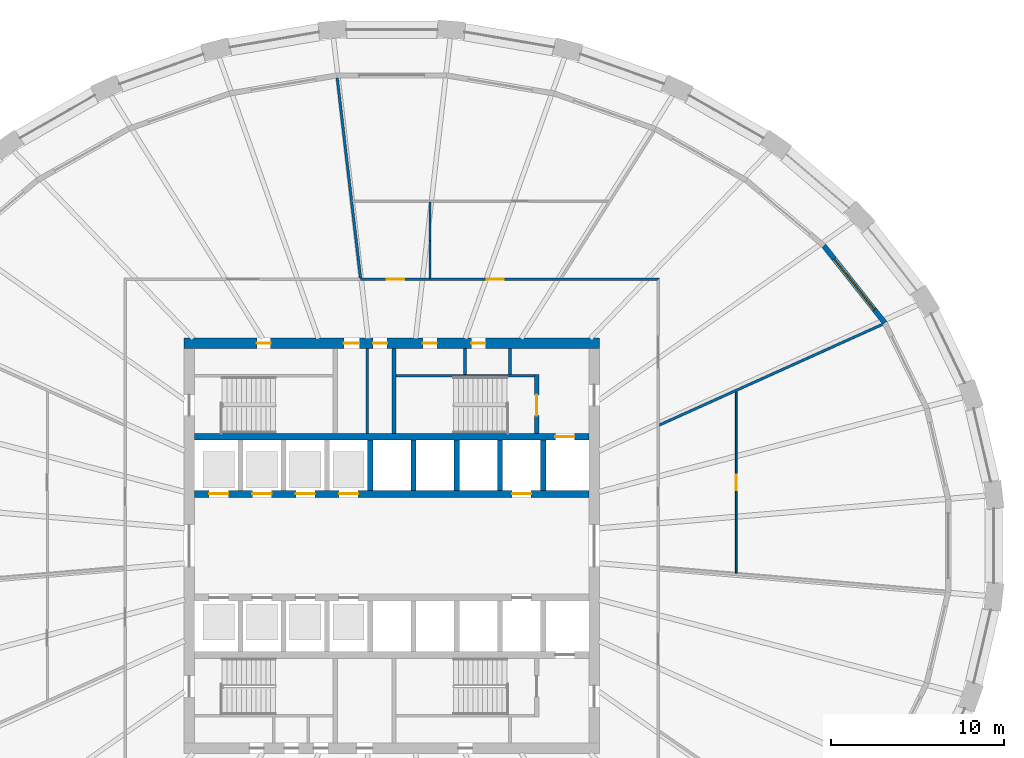
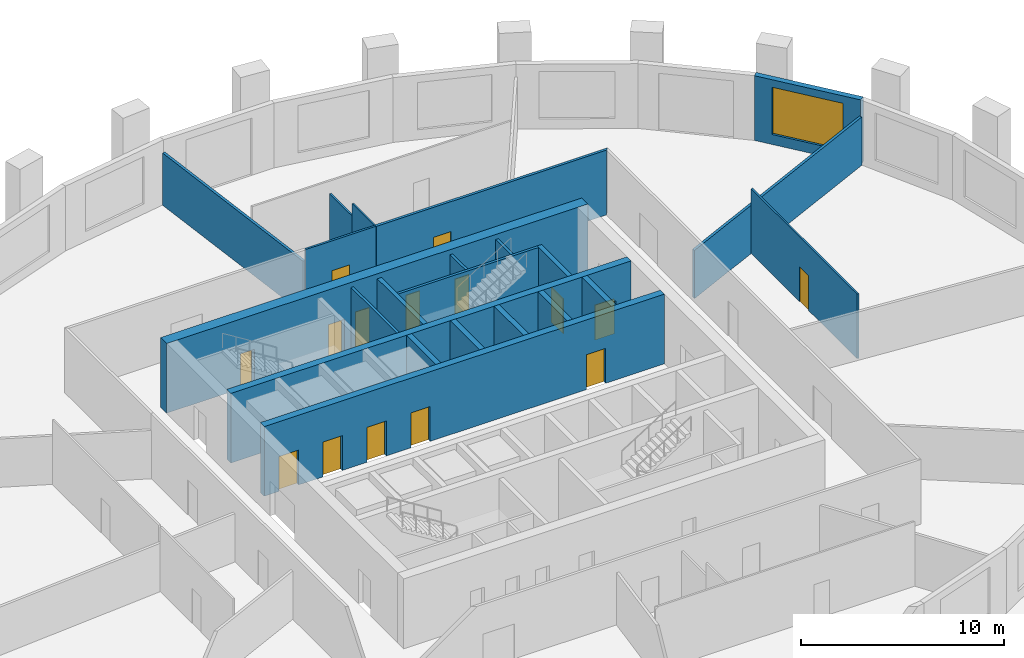
# One storey, part 6 of 10: 22 walls, 15 doors, 1 window, 16 openings.
"""IFC4 building model written with IfcOpenShell, lengths in metres."""

from ifc_helpers import new_model, si_unit, direction, frame, frame_2d, origin, place, context, subcontext, project, spatial, polyline, rectangle, outline, extrude, material, layer, layer_set, type_object, element, fill, save


model = new_model("IFC4")

# Units and contexts
model_context = context("Model", 3, precision=1e-05, world=origin(), true_north=direction((0.0, 1.0)))
body_context = subcontext(model_context, "Body", "Model", "MODEL_VIEW")
ifc_project = project(units=[si_unit("LENGTHUNIT", "METRE"), si_unit("AREAUNIT", "SQUARE_METRE"), si_unit("VOLUMEUNIT", "CUBIC_METRE"), si_unit("PLANEANGLEUNIT", "RADIAN"), si_unit("MASSUNIT", "GRAM", prefix="KILO")], contexts=[model_context])

# Site, building, storey
site_placement = place(None, origin())
site = spatial("IfcSite", under=ifc_project, at=site_placement, CompositionType="ELEMENT")
building_placement = place(site_placement, origin())
building = spatial("IfcBuilding", under=site, at=building_placement, Name="Halqa Exchange Tower", CompositionType="ELEMENT")
storey_placement = place(building_placement, frame((0.0, 0.0, 117.10009765625)))
storey = spatial("IfcBuildingStorey", under=building, at=storey_placement, Name="L26", CompositionType="ELEMENT", Elevation=117.10009765625)

# Wall
ifc_material_1 = material(Name="Fire-rated gypsum board")
ifc_layer_1 = layer(ifc_material_1, 0.14990234375)
ifc_layer_set_1 = layer_set([ifc_layer_1], Name="Fire-rated gypsum board")
wall_type_1 = type_object("IfcWallType", Name="Fire partition EI 60 150", PredefinedType="PARTITIONING", material=ifc_layer_set_1)
wall_1_placement = place(storey_placement, frame((-3.15478515625, 27.019287109375, 0.0), z_axis=(0.0, 0.0, 1.0), x_axis=(0.11582313458, -0.993269853311, 0.0)))
element("IfcWall", 1, at=wall_1_placement, inside=storey, type_object=wall_type_1, Name="L26-PWL-010", PredefinedType="PARTITIONING", context=body_context, shape_type="SweptSolid", body=[
    extrude(outline(polyline([(0.0, -0.074951171875), (1.935546875, -0.074951171875), (3.871337890625, -0.074951171875), (5.806884765625, -0.074951171875), (7.742431640625, -0.074951171875), (9.67822265625, -0.074951171875), (11.61376953125, -0.074951171875), (11.62353515625, 0.008544921875), (11.638427734375, 0.0068359375), (11.64599609375, 0.072021484375), (11.64599609375, 0.074951171875), (9.70556640625, 0.074951171875), (7.765380859375, 0.074951171875), (5.824951171875, 0.074951171875), (3.884521484375, 0.074951171875), (1.9443359375, 0.074951171875), (0.00390625, 0.074951171875), (0.0, 0.04150390625), (0.0, -0.074951171875)])), origin(), (0.0, 0.0, 1.0), 3.14697265625),
])

# Wall, opening, door
wall_2_placement = place(storey_placement, frame((2.2099609375, 15.39990234375, 0.0), z_axis=(0.0, 0.0, 1.0), x_axis=(1.0, 0.0, 0.0)))
wall_2 = element("IfcWall", 2, at=wall_2_placement, inside=storey, type_object=wall_type_1, Name="L26-PWL-017", PredefinedType="PARTITIONING", context=body_context, shape_type="SweptSolid", body=[
    extrude(outline(polyline([(0.0, -0.074951171875), (1.87353515625, -0.074951171875), (3.7470703125, -0.074951171875), (5.62060546875, -0.074951171875), (7.494384765625, -0.074951171875), (9.367919921875, -0.074951171875), (11.241455078125, -0.074951171875), (13.114990234375, -0.074951171875), (13.264892578125, 0.074951171875), (11.369873046875, 0.074951171875), (9.474853515625, 0.074951171875), (7.579833984375, 0.074951171875), (5.68505859375, 0.074951171875), (3.7900390625, 0.074951171875), (1.89501953125, 0.074951171875), (0.0, 0.074951171875), (0.0, -0.074951171875)])), origin(), (0.0, 0.0, 1.0), 3.89990234375),
])
opening_1_placement = place(wall_2_placement, frame((3.264892578125, 0.0, 0.0)))
opening_1 = element("IfcOpeningElement", 3, at=opening_1_placement, cuts=wall_2, Name="Opening 08-05", PredefinedType="OPENING", context=body_context, shape_type="SweptSolid", body=[
    extrude(rectangle(XDim=1.0, YDim=2.10009765625, at=frame_2d((0.5, 1.050048828125))), frame((0.0, 0.0869140625, 0.0), z_axis=(0.0, -1.0, 0.0), x_axis=(1.0, 0.0, 0.0)), (0.0, 0.0, 1.0), 0.173828125),
])
ifc_material_2 = material(Name="Steel fire door leaf", Category="steel")
door_type_1 = type_object("IfcDoorType", Name="Fire door FD30S 1000 x 2100", OperationType="SINGLE_SWING_LEFT", PredefinedType="DOOR", material=ifc_material_2)
door_1_placement = place(opening_1_placement, origin())
door_1 = element("IfcDoor", 4, at=door_1_placement, inside=storey, type_object=door_type_1, Name="L26-IDR-005", OperationType="SINGLE_SWING_RIGHT", OverallHeight=2.10009765625, OverallWidth=1.0, PredefinedType="DOOR", context=body_context, shape_type="SweptSolid", body=[
    extrude(rectangle(XDim=1.0, YDim=2.10009765625, at=frame_2d((0.5, 1.050048828125))), frame((0.0, 0.02490234375, 0.0), z_axis=(0.0, -1.0, 0.0), x_axis=(1.0, 0.0, 0.0)), (0.0, 0.0, 1.0), 0.050048828125),
])
fill(opening_1, door_1)

# Wall
wall_3_placement = place(storey_placement, frame((15.444091796875, 6.969970703125, 0.0), z_axis=(0.0, 0.0, 1.0), x_axis=(0.911543819319, 0.411202949237, 0.0)))
element("IfcWall", 5, at=wall_3_placement, inside=storey, type_object=wall_type_1, Name="L26-PWL-023", PredefinedType="PARTITIONING", context=body_context, shape_type="SweptSolid", body=[
    extrude(outline(polyline([(0.0, -0.074951171875), (1.599853515625, -0.074951171875), (3.19970703125, -0.074951171875), (4.799560546875, -0.074951171875), (4.800537109375, -0.072998046875), (4.804931640625, -0.074951171875), (6.67724609375, -0.074951171875), (8.54931640625, -0.074951171875), (10.42138671875, -0.074951171875), (12.29345703125, -0.074951171875), (14.16552734375, -0.074951171875), (14.16552734375, -0.062744140625), (14.163330078125, 0.00732421875), (14.146484375, 0.074951171875), (12.386474609375, 0.074951171875), (10.626708984375, 0.074951171875), (8.866943359375, 0.074951171875), (7.10693359375, 0.074951171875), (5.34716796875, 0.074951171875), (3.58740234375, 0.074951171875), (1.82763671875, 0.074951171875), (0.067626953125, 0.074951171875), (0.0, -0.074951171875)])), origin(), (0.0, 0.0, 1.0), 2.909912109375),
])

# Wall, opening, door
ifc_material_3 = material(Name="Fire-rated glazing", Category="glass")
ifc_layer_2 = layer(ifc_material_3, 0.1201171875)
ifc_layer_set_2 = layer_set([ifc_layer_2], Name="Fire-rated glazing")
wall_type_2 = type_object("IfcWallType", Name="Glazed fire partition EI 60 120", PredefinedType="PARTITIONING", material=ifc_layer_set_2)
wall_4_placement = place(storey_placement, frame((-1.800048828125, 15.39990234375, 0.0), z_axis=(0.0, 0.0, 1.0), x_axis=(1.0, 0.0, 0.0)))
wall_4 = element("IfcWall", 6, at=wall_4_placement, inside=storey, type_object=wall_type_2, Name="L26-PWL-014", PredefinedType="PARTITIONING", context=body_context, shape_type="SweptSolid", body=[
    extrude(rectangle(XDim=4.010009765625, YDim=0.1201171875, at=frame_2d((2.0048828125, 0.0))), origin(), (0.0, 0.0, 1.0), 3.89990234375),
])
opening_2_placement = place(wall_4_placement, frame((1.5048828125, 0.0, 0.0)))
opening_2 = element("IfcOpeningElement", 7, at=opening_2_placement, cuts=wall_4, Name="Opening 08-06", PredefinedType="OPENING", context=body_context, shape_type="SweptSolid", body=[
    extrude(rectangle(XDim=1.0, YDim=2.10009765625, at=frame_2d((0.5, 1.050048828125))), frame((0.0, 0.072021484375, 0.0), z_axis=(0.0, -1.0, 0.0), x_axis=(1.0, 0.0, 0.0)), (0.0, 0.0, 1.0), 0.14404296875),
])
door_2_placement = place(opening_2_placement, origin())
door_2 = element("IfcDoor", 8, at=door_2_placement, inside=storey, type_object=door_type_1, Name="L26-IDR-006", OperationType="SINGLE_SWING_RIGHT", OverallHeight=2.10009765625, OverallWidth=1.0, PredefinedType="DOOR", context=body_context, shape_type="SweptSolid", body=[
    extrude(rectangle(XDim=1.0, YDim=2.10009765625, at=frame_2d((0.5, 1.050048828125))), frame((0.0, 0.02490234375, 0.0), z_axis=(0.0, -1.0, 0.0), x_axis=(1.0, 0.0, 0.0)), (0.0, 0.0, 1.0), 0.050048828125),
])
fill(opening_2, door_2)

# Wall
ifc_material_4 = material(Name="Gypsum board")
ifc_layer_3 = layer(ifc_material_4, 0.10009765625)
ifc_layer_set_3 = layer_set([ifc_layer_3], Name="Gypsum board")
wall_type_3 = type_object("IfcWallType", Name="Partition 100 gypsum", PredefinedType="PARTITIONING", material=ifc_layer_set_3)
wall_5_placement = place(storey_placement, frame((2.2099609375, 15.46044921875, 0.0), z_axis=(0.0, 0.0, 1.0), x_axis=(0.0, 1.0, 0.0)))
element("IfcWall", 9, at=wall_5_placement, inside=storey, type_object=wall_type_3, Name="L26-PWL-016", PredefinedType="PARTITIONING", context=body_context, shape_type="SweptSolid", body=[
    extrude(outline(polyline([(0.0, 0.050048828125), (0.0, 0.0), (0.0146484375, 0.0), (0.0146484375, -0.050048828125), (2.157470703125, -0.050048828125), (2.157470703125, 0.050048828125), (0.0, 0.050048828125)])), origin(), (0.0, 0.0, 1.0), 3.89990234375),
])

# Wall, opening, door
wall_6_placement = place(storey_placement, frame((19.89990234375, 8.919921875, 0.0), z_axis=(0.0, 0.0, 1.0), x_axis=(0.0, -1.0, 0.0)))
wall_6 = element("IfcWall", 10, at=wall_6_placement, inside=storey, type_object=wall_type_3, Name="L26-PWL-024", PredefinedType="PARTITIONING", context=body_context, shape_type="SweptSolid", body=[
    extrude(outline(polyline([(0.044921875, -0.050048828125), (1.78662109375, -0.050048828125), (3.528564453125, -0.050048828125), (5.2705078125, -0.050048828125), (7.012451171875, -0.050048828125), (8.75439453125, -0.050048828125), (10.49609375, -0.050048828125), (10.50439453125, 0.048095703125), (10.50439453125, 0.050048828125), (8.753662109375, 0.050048828125), (7.0029296875, 0.050048828125), (5.252197265625, 0.050048828125), (3.50146484375, 0.050048828125), (1.750732421875, 0.050048828125), (0.0, 0.050048828125), (0.0, 0.04931640625), (0.044921875, -0.050048828125)])), origin(), (0.0, 0.0, 1.0), 3.89990234375),
])
opening_3_placement = place(wall_6_placement, frame((4.81005859375, 0.0, 0.0)))
opening_3 = element("IfcOpeningElement", 11, at=opening_3_placement, cuts=wall_6, Name="Opening 08-13", PredefinedType="OPENING", context=body_context, shape_type="SweptSolid", body=[
    extrude(rectangle(XDim=0.89990234375, YDim=2.10009765625, at=frame_2d((0.449951171875, 1.050048828125))), frame((0.0, 0.06201171875, 0.0), z_axis=(0.0, -1.0, 0.0), x_axis=(1.0, 0.0, 0.0)), (0.0, 0.0, 1.0), 0.1240234375),
])
ifc_material_5 = material(Name="Timber door leaf", Category="wood")
door_type_2 = type_object("IfcDoorType", Name="Door 900 x 2100", OperationType="SINGLE_SWING_LEFT", PredefinedType="DOOR", material=ifc_material_5)
door_3_placement = place(opening_3_placement, frame((0.89990234375, 0.0, 0.0), z_axis=(0.0, 0.0, 1.0), x_axis=(-1.0, 0.0, 0.0)))
door_3 = element("IfcDoor", 12, at=door_3_placement, inside=storey, type_object=door_type_2, Name="L26-IDR-013", OperationType="SINGLE_SWING_LEFT", OverallHeight=2.10009765625, OverallWidth=0.89990234375, PredefinedType="DOOR", context=body_context, shape_type="SweptSolid", body=[
    extrude(rectangle(XDim=0.89990234375, YDim=2.10009765625, at=frame_2d((0.449951171875, 1.050048828125))), frame((0.0, 0.02490234375, 0.0), z_axis=(0.0, -1.0, 0.0), x_axis=(1.0, 0.0, 0.0)), (0.0, 0.0, 1.0), 0.050048828125),
])
fill(opening_3, door_3)

# Walls
wall_7_placement = place(storey_placement, frame((2.2099609375, 17.617919921875, 0.0), z_axis=(0.0, 0.0, 1.0), x_axis=(0.0, 1.0, 0.0)))
element("IfcWall", 13, at=wall_7_placement, inside=storey, type_object=wall_type_3, Name="L26-PWL-026", PredefinedType="PARTITIONING", context=body_context, shape_type="SweptSolid", body=[
    extrude(outline(polyline([(0.0, -0.050048828125), (2.232177734375, -0.050048828125), (2.232177734375, 0.050048828125), (0.0, 0.050048828125), (0.0, -0.050048828125)])), origin(), (0.0, 0.0, 1.0), 3.14697265625),
])
ifc_layer_4 = layer(ifc_material_4, 0.14990234375)
ifc_layer_set_4 = layer_set([ifc_layer_4], Name="Gypsum board")
wall_type_4 = type_object("IfcWallType", Name="Penthouse riser wall 150 gypsum", PredefinedType="PARTITIONING", material=ifc_layer_set_4)
wall_8_placement = place(storey_placement, frame((-1.425048828125, 6.5, 0.0), z_axis=(0.0, 0.0, 1.0), x_axis=(0.0, 1.0, 0.0)))
element("IfcWall", 14, at=wall_8_placement, inside=storey, type_object=wall_type_4, Name="Partition W1.425 N", PredefinedType="PARTITIONING", context=body_context, shape_type="SweptSolid", body=[
    extrude(rectangle(XDim=4.89990234375, YDim=0.14990234375, at=frame_2d((2.449951171875, 0.0))), origin(), (0.0, 0.0, 1.0), 3.89990234375),
])
for number, where, z_axis, x_axis, name in (
    (15, (4.22509765625, 9.89990234375, 0.0), (0.0, 0.0, 1.0), (0.0, 1.0, 0.0), "Partition E4.225 N"),
    (16, (6.824951171875, 9.89990234375, 0.0), (0.0, 0.0, 1.0), (0.0, 1.0, 0.0), "Firefighting lobby west wall N"),
):
    element("IfcWall", number, at=place(storey_placement, frame(where, z_axis=z_axis, x_axis=x_axis)), inside=storey, type_object=wall_type_4, Name=name, PredefinedType="PARTITIONING", context=body_context, shape_type="SweptSolid", body=[
        extrude(rectangle(XDim=1.5, YDim=0.14990234375, at=frame_2d((0.75, 0.0))), origin(), (0.0, 0.0, 1.0), 3.89990234375),
    ])
ifc_material_6 = material(Name="Concrete C60/75", Category="concrete")
ifc_layer_5 = layer(ifc_material_6, 0.300048828125)
ifc_layer_set_5 = layer_set([ifc_layer_5], Name="Concrete C60/75")
wall_type_5 = type_object("IfcWallType", Name="RC core wall 300", PredefinedType="SHEAR", material=ifc_layer_set_5)
for number, where, z_axis, x_axis, name in (
    (17, (-1.25, 3.199951171875, 0.0), (0.0, 0.0, 1.0), (0.0, 1.0, 0.0), "Shaft divider N4"),
    (18, (1.25, 3.199951171875, 0.0), (0.0, 0.0, 1.0), (0.0, 1.0, 0.0), "Shaft divider N5"),
    (19, (3.75, 3.199951171875, 0.0), (0.0, 0.0, 1.0), (0.0, 1.0, 0.0), "Shaft divider N6"),
    (20, (6.25, 3.199951171875, 0.0), (0.0, 0.0, 1.0), (0.0, 1.0, 0.0), "Shaft divider N7"),
    (21, (8.75, 3.199951171875, 0.0), (0.0, 0.0, 1.0), (0.0, 1.0, 0.0), "Shaft divider N8"),
):
    element("IfcWall", number, at=place(storey_placement, frame(where, z_axis=z_axis, x_axis=x_axis)), inside=storey, type_object=wall_type_5, Name=name, PredefinedType="SHEAR", context=body_context, shape_type="SweptSolid", body=[
        extrude(rectangle(XDim=2.900146484375, YDim=0.300048828125, at=frame_2d((1.4501953125, 0.0))), origin(), (0.0, 0.0, 1.0), 4.199951171875),
    ])

# Wall, openings, doors
ifc_material_7 = material(Name="Concrete C70/85", Category="concrete")
ifc_layer_6 = layer(ifc_material_7, 0.39990234375)
ifc_layer_set_6 = layer_set([ifc_layer_6], Name="Concrete C70/85")
wall_type_6 = type_object("IfcWallType", Name="RC core wall 400 C70/85", PredefinedType="SHEAR", material=ifc_layer_set_6)
wall_9_placement = place(storey_placement, frame((-11.39990234375, 3.0, 0.0), z_axis=(0.0, 0.0, 1.0), x_axis=(1.0, 0.0, 0.0)))
wall_9 = element("IfcWall", 22, at=wall_9_placement, inside=storey, type_object=wall_type_6, Name="Lift row front wall N", PredefinedType="SHEAR", context=body_context, shape_type="SweptSolid", body=[
    extrude(rectangle(XDim=22.7998046875, YDim=0.39990234375, at=frame_2d((11.39990234375, 0.0))), origin(), (0.0, 0.0, 1.0), 4.199951171875),
])
opening_4_placement = place(wall_9_placement, frame((0.85009765625, 0.0, 0.0)))
opening_4 = element("IfcOpeningElement", 23, at=opening_4_placement, cuts=wall_9, Name="Opening LD-LR1-T08", PredefinedType="OPENING", context=body_context, shape_type="SweptSolid", body=[
    extrude(rectangle(XDim=1.10009765625, YDim=2.10009765625, at=frame_2d((0.550048828125, 1.050048828125))), frame((0.0, 0.2119140625, 0.0), z_axis=(0.0, -1.0, 0.0), x_axis=(1.0, 0.0, 0.0)), (0.0, 0.0, 1.0), 0.423828125),
])
opening_5_placement = place(wall_9_placement, frame((3.35009765625, 0.0, 0.0)))
opening_5 = element("IfcOpeningElement", 24, at=opening_5_placement, cuts=wall_9, Name="Opening LD-LR2-T08", PredefinedType="OPENING", context=body_context, shape_type="SweptSolid", body=[
    extrude(rectangle(XDim=1.10009765625, YDim=2.10009765625, at=frame_2d((0.550048828125, 1.050048828125))), frame((0.0, 0.2119140625, 0.0), z_axis=(0.0, -1.0, 0.0), x_axis=(1.0, 0.0, 0.0)), (0.0, 0.0, 1.0), 0.423828125),
])
opening_6_placement = place(wall_9_placement, frame((5.85009765625, 0.0, 0.0)))
opening_6 = element("IfcOpeningElement", 25, at=opening_6_placement, cuts=wall_9, Name="Opening LD-LR3-T08", PredefinedType="OPENING", context=body_context, shape_type="SweptSolid", body=[
    extrude(rectangle(XDim=1.10009765625, YDim=2.10009765625, at=frame_2d((0.550048828125, 1.050048828125))), frame((0.0, 0.2119140625, 0.0), z_axis=(0.0, -1.0, 0.0), x_axis=(1.0, 0.0, 0.0)), (0.0, 0.0, 1.0), 0.423828125),
])
opening_7_placement = place(wall_9_placement, frame((8.35009765625, 0.0, 0.0)))
opening_7 = element("IfcOpeningElement", 26, at=opening_7_placement, cuts=wall_9, Name="Opening LD-LR4-T08", PredefinedType="OPENING", context=body_context, shape_type="SweptSolid", body=[
    extrude(rectangle(XDim=1.10009765625, YDim=2.10009765625, at=frame_2d((0.550048828125, 1.050048828125))), frame((0.0, 0.2119140625, 0.0), z_axis=(0.0, -1.0, 0.0), x_axis=(1.0, 0.0, 0.0)), (0.0, 0.0, 1.0), 0.423828125),
])
opening_8_placement = place(wall_9_placement, frame((18.35009765625, 0.0, 0.0)))
opening_8 = element("IfcOpeningElement", 27, at=opening_8_placement, cuts=wall_9, Name="Opening LD-SV1-T08", PredefinedType="OPENING", context=body_context, shape_type="SweptSolid", body=[
    extrude(rectangle(XDim=1.10009765625, YDim=2.10009765625, at=frame_2d((0.550048828125, 1.050048828125))), frame((0.0, 0.2119140625, 0.0), z_axis=(0.0, -1.0, 0.0), x_axis=(1.0, 0.0, 0.0)), (0.0, 0.0, 1.0), 0.423828125),
])
ifc_material_8 = material(Name="Stainless steel", Category="steel")
door_type_3 = type_object("IfcDoorType", Name="Lift landing door 1100 x 2100", OperationType="SLIDING_TO_LEFT", PredefinedType="DOOR", material=ifc_material_8)
door_4_placement = place(opening_4_placement, origin())
door_4 = element("IfcDoor", 28, at=door_4_placement, inside=storey, type_object=door_type_3, Name="Lift landing door LR1", OperationType="SLIDING_TO_LEFT", OverallHeight=2.10009765625, OverallWidth=1.10009765625, PredefinedType="DOOR", context=body_context, shape_type="SweptSolid", body=[
    extrude(rectangle(XDim=1.10009765625, YDim=2.10009765625, at=frame_2d((0.550048828125, 1.050048828125))), frame((0.0, 0.02490234375, 0.0), z_axis=(0.0, -1.0, 0.0), x_axis=(1.0, 0.0, 0.0)), (0.0, 0.0, 1.0), 0.050048828125),
])
fill(opening_4, door_4)
door_5_placement = place(opening_5_placement, origin())
door_5 = element("IfcDoor", 29, at=door_5_placement, inside=storey, type_object=door_type_3, Name="Lift landing door LR2", OperationType="SLIDING_TO_LEFT", OverallHeight=2.10009765625, OverallWidth=1.10009765625, PredefinedType="DOOR", context=body_context, shape_type="SweptSolid", body=[
    extrude(rectangle(XDim=1.10009765625, YDim=2.10009765625, at=frame_2d((0.550048828125, 1.050048828125))), frame((0.0, 0.02490234375, 0.0), z_axis=(0.0, -1.0, 0.0), x_axis=(1.0, 0.0, 0.0)), (0.0, 0.0, 1.0), 0.050048828125),
])
fill(opening_5, door_5)
door_6_placement = place(opening_6_placement, origin())
door_6 = element("IfcDoor", 30, at=door_6_placement, inside=storey, type_object=door_type_3, Name="Lift landing door LR3", OperationType="SLIDING_TO_LEFT", OverallHeight=2.10009765625, OverallWidth=1.10009765625, PredefinedType="DOOR", context=body_context, shape_type="SweptSolid", body=[
    extrude(rectangle(XDim=1.10009765625, YDim=2.10009765625, at=frame_2d((0.550048828125, 1.050048828125))), frame((0.0, 0.02490234375, 0.0), z_axis=(0.0, -1.0, 0.0), x_axis=(1.0, 0.0, 0.0)), (0.0, 0.0, 1.0), 0.050048828125),
])
fill(opening_6, door_6)
door_7_placement = place(opening_7_placement, origin())
door_7 = element("IfcDoor", 31, at=door_7_placement, inside=storey, type_object=door_type_3, Name="Lift landing door LR4", OperationType="SLIDING_TO_LEFT", OverallHeight=2.10009765625, OverallWidth=1.10009765625, PredefinedType="DOOR", context=body_context, shape_type="SweptSolid", body=[
    extrude(rectangle(XDim=1.10009765625, YDim=2.10009765625, at=frame_2d((0.550048828125, 1.050048828125))), frame((0.0, 0.02490234375, 0.0), z_axis=(0.0, -1.0, 0.0), x_axis=(1.0, 0.0, 0.0)), (0.0, 0.0, 1.0), 0.050048828125),
])
fill(opening_7, door_7)
door_8_placement = place(opening_8_placement, origin())
door_8 = element("IfcDoor", 32, at=door_8_placement, inside=storey, type_object=door_type_3, Name="Lift landing door SV1", OperationType="SLIDING_TO_LEFT", OverallHeight=2.10009765625, OverallWidth=1.10009765625, PredefinedType="DOOR", context=body_context, shape_type="SweptSolid", body=[
    extrude(rectangle(XDim=1.10009765625, YDim=2.10009765625, at=frame_2d((0.550048828125, 1.050048828125))), frame((0.0, 0.02490234375, 0.0), z_axis=(0.0, -1.0, 0.0), x_axis=(1.0, 0.0, 0.0)), (0.0, 0.0, 1.0), 0.050048828125),
])
fill(opening_8, door_8)

# Wall, opening, door
wall_10_placement = place(storey_placement, frame((-11.39990234375, 6.300048828125, 0.0), z_axis=(0.0, 0.0, 1.0), x_axis=(1.0, 0.0, 0.0)))
wall_10 = element("IfcWall", 33, at=wall_10_placement, inside=storey, type_object=wall_type_6, Name="Lift row back wall N", PredefinedType="SHEAR", context=body_context, shape_type="SweptSolid", body=[
    extrude(rectangle(XDim=22.7998046875, YDim=0.39990234375, at=frame_2d((11.39990234375, 0.0))), origin(), (0.0, 0.0, 1.0), 4.199951171875),
])
opening_9_placement = place(wall_10_placement, frame((20.85009765625, 0.0, 0.0)))
opening_9 = element("IfcOpeningElement", 34, at=opening_9_placement, cuts=wall_10, Name="Opening LD-FF1-T08", PredefinedType="OPENING", context=body_context, shape_type="SweptSolid", body=[
    extrude(rectangle(XDim=1.10009765625, YDim=2.10009765625, at=frame_2d((0.550048828125, 1.050048828125))), frame((0.0, 0.2119140625, 0.0), z_axis=(0.0, -1.0, 0.0), x_axis=(1.0, 0.0, 0.0)), (0.0, 0.0, 1.0), 0.423828125),
])
door_9_placement = place(opening_9_placement, origin())
door_9 = element("IfcDoor", 35, at=door_9_placement, inside=storey, type_object=door_type_3, Name="Lift landing door FF1", OperationType="SLIDING_TO_LEFT", OverallHeight=2.10009765625, OverallWidth=1.10009765625, PredefinedType="DOOR", context=body_context, shape_type="SweptSolid", body=[
    extrude(rectangle(XDim=1.10009765625, YDim=2.10009765625, at=frame_2d((0.550048828125, 1.050048828125))), frame((0.0, 0.02490234375, 0.0), z_axis=(0.0, -1.0, 0.0), x_axis=(1.0, 0.0, 0.0)), (0.0, 0.0, 1.0), 0.050048828125),
])
fill(opening_9, door_9)

# Wall, openings, doors
ifc_layer_7 = layer(ifc_material_7, 0.60009765625)
ifc_layer_set_7 = layer_set([ifc_layer_7], Name="Concrete C70/85")
wall_type_7 = type_object("IfcWallType", Name="RC core wall 600 C70/85", PredefinedType="SHEAR", material=ifc_layer_set_7)
wall_11_placement = place(storey_placement, frame((-12.0, 11.699951171875, 0.0), z_axis=(0.0, 0.0, 1.0), x_axis=(1.0, 0.0, 0.0)))
wall_11 = element("IfcWall", 36, at=wall_11_placement, inside=storey, type_object=wall_type_7, Name="Core wall north", PredefinedType="SHEAR", context=body_context, shape_type="SweptSolid", body=[
    extrude(rectangle(XDim=24.0, YDim=0.60009765625, at=frame_2d((12.0, 0.0))), origin(), (0.0, 0.0, 1.0), 4.199951171875),
])
opening_10_placement = place(wall_11_placement, frame((9.22509765625, 0.0, 0.0)))
opening_10 = element("IfcOpeningElement", 37, at=opening_10_placement, cuts=wall_11, Name="Opening T08-C21", PredefinedType="OPENING", context=body_context, shape_type="SweptSolid", body=[
    extrude(rectangle(XDim=0.89990234375, YDim=2.10009765625, at=frame_2d((0.449951171875, 1.050048828125))), frame((0.0, 0.31201171875, 0.0), z_axis=(0.0, -1.0, 0.0), x_axis=(1.0, 0.0, 0.0)), (0.0, 0.0, 1.0), 0.6240234375),
])
opening_11_placement = place(wall_11_placement, frame((10.925048828125, 0.0, 0.0)))
opening_11 = element("IfcOpeningElement", 38, at=opening_11_placement, cuts=wall_11, Name="Opening T08-C22", PredefinedType="OPENING", context=body_context, shape_type="SweptSolid", body=[
    extrude(rectangle(XDim=0.800048828125, YDim=2.10009765625, at=frame_2d((0.39990234375, 1.050048828125))), frame((0.0, 0.31201171875, 0.0), z_axis=(0.0, -1.0, 0.0), x_axis=(1.0, 0.0, 0.0)), (0.0, 0.0, 1.0), 0.6240234375),
])
opening_12_placement = place(wall_11_placement, frame((4.199951171875, 0.0, 0.0)))
opening_12 = element("IfcOpeningElement", 39, at=opening_12_placement, cuts=wall_11, Name="Opening T08-C23", PredefinedType="OPENING", context=body_context, shape_type="SweptSolid", body=[
    extrude(rectangle(XDim=0.800048828125, YDim=2.10009765625, at=frame_2d((0.39990234375, 1.050048828125))), frame((0.0, 0.31201171875, 0.0), z_axis=(0.0, -1.0, 0.0), x_axis=(1.0, 0.0, 0.0)), (0.0, 0.0, 1.0), 0.6240234375),
])
opening_13_placement = place(wall_11_placement, frame((13.800048828125, 0.0, 0.0)))
opening_13 = element("IfcOpeningElement", 40, at=opening_13_placement, cuts=wall_11, Name="Opening T08-C24", PredefinedType="OPENING", context=body_context, shape_type="SweptSolid", body=[
    extrude(rectangle(XDim=0.800048828125, YDim=2.10009765625, at=frame_2d((0.39990234375, 1.050048828125))), frame((0.0, 0.31201171875, 0.0), z_axis=(0.0, -1.0, 0.0), x_axis=(1.0, 0.0, 0.0)), (0.0, 0.0, 1.0), 0.6240234375),
])
opening_14_placement = place(wall_11_placement, frame((16.60009765625, 0.0, 0.0)))
opening_14 = element("IfcOpeningElement", 41, at=opening_14_placement, cuts=wall_11, Name="Opening T08-C25", PredefinedType="OPENING", context=body_context, shape_type="SweptSolid", body=[
    extrude(rectangle(XDim=0.800048828125, YDim=2.10009765625, at=frame_2d((0.39990234375, 1.050048828125))), frame((0.0, 0.31201171875, 0.0), z_axis=(0.0, -1.0, 0.0), x_axis=(1.0, 0.0, 0.0)), (0.0, 0.0, 1.0), 0.6240234375),
])
ifc_material_9 = material(Name="Timber fire door leaf", Category="wood")
door_type_4 = type_object("IfcDoorType", Name="Core room door FD30 900 x 2100", OperationType="SINGLE_SWING_LEFT", PredefinedType="DOOR", material=ifc_material_9)
door_10_placement = place(opening_10_placement, frame((0.89990234375, 0.0, 0.0), z_axis=(0.0, 0.0, 1.0), x_axis=(-1.0, 0.0, 0.0)))
door_10 = element("IfcDoor", 42, at=door_10_placement, inside=storey, type_object=door_type_4, Name="Core room door", OperationType="SINGLE_SWING_RIGHT", OverallHeight=2.10009765625, OverallWidth=0.89990234375, PredefinedType="DOOR", context=body_context, shape_type="SweptSolid", body=[
    extrude(rectangle(XDim=0.89990234375, YDim=2.10009765625, at=frame_2d((0.449951171875, 1.050048828125))), frame((0.0, 0.02490234375, 0.0), z_axis=(0.0, -1.0, 0.0), x_axis=(1.0, 0.0, 0.0)), (0.0, 0.0, 1.0), 0.050048828125),
])
fill(opening_10, door_10)
door_type_5 = type_object("IfcDoorType", Name="Riser door FD60 800 x 2100", OperationType="SINGLE_SWING_LEFT", PredefinedType="DOOR", material=ifc_material_2)
door_11_placement = place(opening_11_placement, frame((0.800048828125, 0.0, 0.0), z_axis=(0.0, 0.0, 1.0), x_axis=(-1.0, 0.0, 0.0)))
door_11 = element("IfcDoor", 43, at=door_11_placement, inside=storey, type_object=door_type_5, Name="Core room door", OperationType="SINGLE_SWING_RIGHT", OverallHeight=2.10009765625, OverallWidth=0.800048828125, PredefinedType="DOOR", context=body_context, shape_type="SweptSolid", body=[
    extrude(rectangle(XDim=0.800048828125, YDim=2.10009765625, at=frame_2d((0.39990234375, 1.050048828125))), frame((0.0, 0.02490234375, 0.0), z_axis=(0.0, -1.0, 0.0), x_axis=(1.0, 0.0, 0.0)), (0.0, 0.0, 1.0), 0.050048828125),
])
fill(opening_11, door_11)
door_12_placement = place(opening_12_placement, frame((0.800048828125, 0.0, 0.0), z_axis=(0.0, 0.0, 1.0), x_axis=(-1.0, 0.0, 0.0)))
door_12 = element("IfcDoor", 44, at=door_12_placement, inside=storey, type_object=door_type_5, Name="Core room door", OperationType="SINGLE_SWING_RIGHT", OverallHeight=2.10009765625, OverallWidth=0.800048828125, PredefinedType="DOOR", context=body_context, shape_type="SweptSolid", body=[
    extrude(rectangle(XDim=0.800048828125, YDim=2.10009765625, at=frame_2d((0.39990234375, 1.050048828125))), frame((0.0, 0.02490234375, 0.0), z_axis=(0.0, -1.0, 0.0), x_axis=(1.0, 0.0, 0.0)), (0.0, 0.0, 1.0), 0.050048828125),
])
fill(opening_12, door_12)
door_13_placement = place(opening_13_placement, frame((0.800048828125, 0.0, 0.0), z_axis=(0.0, 0.0, 1.0), x_axis=(-1.0, 0.0, 0.0)))
door_13 = element("IfcDoor", 45, at=door_13_placement, inside=storey, type_object=door_type_5, Name="Core room door", OperationType="SINGLE_SWING_LEFT", OverallHeight=2.10009765625, OverallWidth=0.800048828125, PredefinedType="DOOR", context=body_context, shape_type="SweptSolid", body=[
    extrude(rectangle(XDim=0.800048828125, YDim=2.10009765625, at=frame_2d((0.39990234375, 1.050048828125))), frame((0.0, 0.02490234375, 0.0), z_axis=(0.0, -1.0, 0.0), x_axis=(1.0, 0.0, 0.0)), (0.0, 0.0, 1.0), 0.050048828125),
])
fill(opening_13, door_13)
door_14_placement = place(opening_14_placement, frame((0.800048828125, 0.0, 0.0), z_axis=(0.0, 0.0, 1.0), x_axis=(-1.0, 0.0, 0.0)))
door_14 = element("IfcDoor", 46, at=door_14_placement, inside=storey, type_object=door_type_5, Name="Core room door", OperationType="SINGLE_SWING_LEFT", OverallHeight=2.10009765625, OverallWidth=0.800048828125, PredefinedType="DOOR", context=body_context, shape_type="SweptSolid", body=[
    extrude(rectangle(XDim=0.800048828125, YDim=2.10009765625, at=frame_2d((0.39990234375, 1.050048828125))), frame((0.0, 0.02490234375, 0.0), z_axis=(0.0, -1.0, 0.0), x_axis=(1.0, 0.0, 0.0)), (0.0, 0.0, 1.0), 0.050048828125),
])
fill(opening_14, door_14)

# Walls
ifc_material_10 = material(Name="Concrete C30/37", Category="concrete")
ifc_layer_8 = layer(ifc_material_10, 0.14990234375)
ifc_layer_set_8 = layer_set([ifc_layer_8], Name="Concrete C30/37")
wall_type_8 = type_object("IfcWallType", Name="RC stair wall 150 C30/37", PredefinedType="SHEAR", material=ifc_layer_set_8)
wall_12_placement = place(storey_placement, frame((0.25, 9.824951171875, 0.0), z_axis=(0.0, 0.0, 1.0), x_axis=(1.0, 0.0, 0.0)))
element("IfcWall", 47, at=wall_12_placement, inside=storey, type_object=wall_type_8, Name="Stair ST2 north wall N", PredefinedType="SHEAR", context=body_context, shape_type="SweptSolid", body=[
    extrude(rectangle(XDim=8.0, YDim=0.14990234375, at=frame_2d((4.0, 0.0))), origin(), (0.0, 0.0, 1.0), 3.89990234375),
])
ifc_layer_9 = layer(ifc_material_10, 0.25)
ifc_layer_set_9 = layer_set([ifc_layer_9], Name="Concrete C30/37")
wall_type_9 = type_object("IfcWallType", Name="RC stair wall 250 C30/37", PredefinedType="SHEAR", material=ifc_layer_set_9)
wall_13_placement = place(storey_placement, frame((0.125, 6.5, 0.0), z_axis=(0.0, 0.0, 1.0), x_axis=(0.0, 1.0, 0.0)))
element("IfcWall", 48, at=wall_13_placement, inside=storey, type_object=wall_type_9, Name="Stair ST2 west wall N", PredefinedType="SHEAR", context=body_context, shape_type="SweptSolid", body=[
    extrude(rectangle(XDim=4.89990234375, YDim=0.25, at=frame_2d((2.449951171875, 0.0))), origin(), (0.0, 0.0, 1.0), 3.89990234375),
])

# Wall, opening, door
wall_14_placement = place(storey_placement, frame((8.375, 6.5, 0.0), z_axis=(0.0, 0.0, 1.0), x_axis=(0.0, 1.0, 0.0)))
wall_14 = element("IfcWall", 49, at=wall_14_placement, inside=storey, type_object=wall_type_9, Name="Stair ST2 east wall N", PredefinedType="SHEAR", context=body_context, shape_type="SweptSolid", body=[
    extrude(rectangle(XDim=3.39990234375, YDim=0.25, at=frame_2d((1.699951171875, 0.0))), origin(), (0.0, 0.0, 1.0), 3.89990234375),
])
opening_15_placement = place(wall_14_placement, frame((1.02490234375, 0.0, 0.0)))
opening_15 = element("IfcOpeningElement", 50, at=opening_15_placement, cuts=wall_14, Name="Opening T08-C16", PredefinedType="OPENING", context=body_context, shape_type="SweptSolid", body=[
    extrude(rectangle(XDim=1.199951171875, YDim=2.10009765625, at=frame_2d((0.60009765625, 1.050048828125))), frame((0.0, 0.136962890625, 0.0), z_axis=(0.0, -1.0, 0.0), x_axis=(1.0, 0.0, 0.0)), (0.0, 0.0, 1.0), 0.27392578125),
])
door_type_6 = type_object("IfcDoorType", Name="Stair door FD90 1200 x 2100", OperationType="SINGLE_SWING_LEFT", PredefinedType="DOOR", material=ifc_material_2)
door_15_placement = place(opening_15_placement, origin())
door_15 = element("IfcDoor", 51, at=door_15_placement, inside=storey, type_object=door_type_6, Name="Stair door ST2", OperationType="SINGLE_SWING_LEFT", OverallHeight=2.10009765625, OverallWidth=1.199951171875, PredefinedType="DOOR", context=body_context, shape_type="SweptSolid", body=[
    extrude(rectangle(XDim=1.199951171875, YDim=2.10009765625, at=frame_2d((0.60009765625, 1.050048828125))), frame((0.0, 0.02490234375, 0.0), z_axis=(0.0, -1.0, 0.0), x_axis=(1.0, 0.0, 0.0)), (0.0, 0.0, 1.0), 0.050048828125),
])
fill(opening_15, door_15)

# Wall, opening, window
ifc_material_11 = material(Name="Limestone cladding", Category="masonry")
ifc_layer_10 = layer(ifc_material_11, 0.0400390625)
ifc_material_12 = material(Name="Ventilated cavity")
ifc_layer_11 = layer(ifc_material_12, 0.030029296875, ventilated=True)
ifc_material_13 = material(Name="Mineral wool insulation")
ifc_layer_12 = layer(ifc_material_13, 0.10009765625)
ifc_layer_13 = layer(ifc_material_10, 0.10009765625)
ifc_material_14 = material(Name="Internal plaster")
ifc_layer_14 = layer(ifc_material_14, 0.030029296875)
ifc_layer_set_10 = layer_set([ifc_layer_10, ifc_layer_11, ifc_layer_12, ifc_layer_13, ifc_layer_14], Name="Stone-faced insulated wall 300")
wall_type_10 = type_object("IfcWallType", Name="Stone-faced insulated wall 300", PredefinedType="STANDARD", material=ifc_layer_set_10)
wall_15_placement = place(storey_placement, frame((28.47900390625, 12.881103515625, 0.0), z_axis=(0.0, 0.0, 1.0), x_axis=(-0.62038332391, 0.784298751379, 0.0)))
wall_15 = element("IfcWall", 52, at=wall_15_placement, inside=storey, type_object=wall_type_10, Name="Glass-line wall 3", PredefinedType="STANDARD", context=body_context, shape_type="SweptSolid", body=[
    extrude(outline(polyline([(-0.01611328125, -0.14990234375), (5.68994140625, -0.14990234375), (5.65966796875, 0.14990234375), (0.01611328125, 0.14990234375), (-0.01611328125, -0.14990234375)])), origin(), (0.0, 0.0, 1.0), 3.89990234375),
])
opening_16_placement = place(wall_15_placement, frame((0.96240234375, 0.0, 0.60009765625)))
opening_16 = element("IfcOpeningElement", 53, at=opening_16_placement, cuts=wall_15, Name="Opening W-F2-03", PredefinedType="OPENING", context=body_context, shape_type="SweptSolid", body=[
    extrude(rectangle(XDim=3.75, YDim=2.85009765625, at=frame_2d((1.875, 1.425048828125))), frame((0.0, 0.162109375, 0.0), z_axis=(0.0, -1.0, 0.0), x_axis=(1.0, 0.0, 0.0)), (0.0, 0.0, 1.0), 0.323974609375),
])
ifc_material_15 = material(Name="Clear low-emissivity glass in aluminium frame", Category="aluminium")
window_type = type_object("IfcWindowType", Name="Fixed clear glazed window 3750 x 2850", PartitioningType="TRIPLE_PANEL_VERTICAL", PredefinedType="WINDOW", material=ifc_material_15)
window_placement = place(opening_16_placement, origin())
window = element("IfcWindow", 54, at=window_placement, inside=storey, type_object=window_type, Name="Window 2", OverallHeight=2.85009765625, OverallWidth=3.75, PartitioningType="TRIPLE_PANEL_VERTICAL", PredefinedType="WINDOW", context=body_context, shape_type="SweptSolid", body=[
    extrude(rectangle(XDim=3.75, YDim=2.85009765625, at=frame_2d((1.875, 1.425048828125))), frame((0.0, 0.030029296875, 0.0), z_axis=(0.0, -1.0, 0.0), x_axis=(1.0, 0.0, 0.0)), (0.0, 0.0, 1.0), 0.06005859375),
])
fill(opening_16, window)

save(model, "model.ifc")
